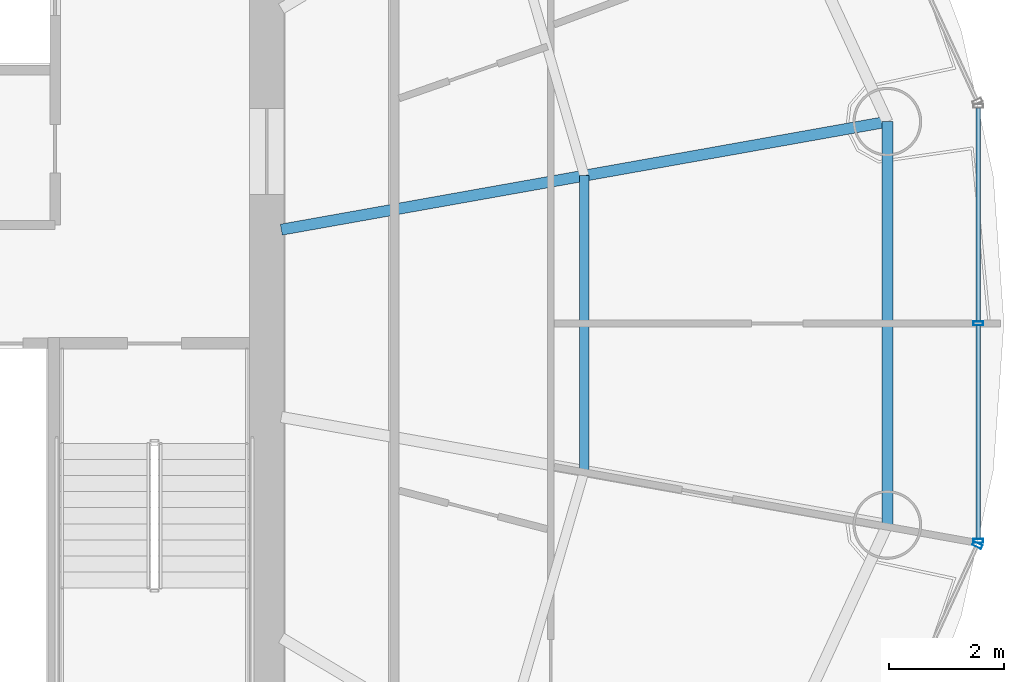
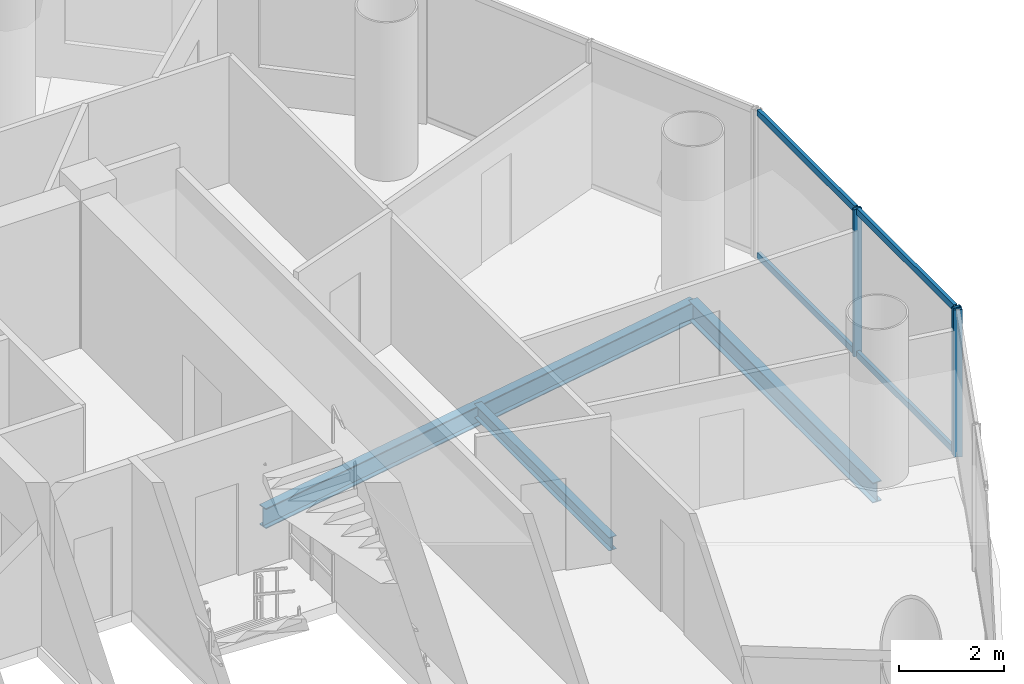
# One storey, part 13 of 26: 7 members, 3 beams, 2 elements without a shape of their own.
"""IFC4 building model written with IfcOpenShell, lengths in metres."""

from ifc_helpers import new_model, si_unit, direction, frame, origin, origin_2d, place, context, subcontext, project, spatial, hollow_rectangle, i_section, extrude, source, transform, mapped, material, material_profile, profile_set, type_object, element, aggregate, save


model = new_model("IFC4")

# Units and contexts
model_context = context("Model", 3, precision=1e-05, world=origin(), true_north=direction((-0.2419218956, 0.970295726276)))
body_context = subcontext(model_context, "Body", "Model", "MODEL_VIEW")
ifc_project = project(units=[si_unit("LENGTHUNIT", "METRE"), si_unit("AREAUNIT", "SQUARE_METRE"), si_unit("VOLUMEUNIT", "CUBIC_METRE"), si_unit("PLANEANGLEUNIT", "RADIAN"), si_unit("MASSUNIT", "GRAM", prefix="KILO")], contexts=[model_context])

# Site, building, storey
site_placement = place(None, origin())
site = spatial("IfcSite", under=ifc_project, at=site_placement, CompositionType="ELEMENT")
building_placement = place(site_placement, origin())
building = spatial("IfcBuilding", under=site, at=building_placement, Name="Cobrevalo Terracotta Tower", CompositionType="ELEMENT")
storey_placement = place(building_placement, frame((0.0, 0.0, 224.5)))
storey = spatial("IfcBuildingStorey", under=building, at=storey_placement, Name="L59", CompositionType="ELEMENT", Elevation=224.5)

# Beams
ifc_material_1 = material(Name="Steel S355", Category="steel")
ifc_material_profile_1 = material_profile(ifc_material_1, i_section(OverallWidth=0.194091796875, OverallDepth=0.468994140625, WebThickness=0.011474609375, FlangeThickness=0.0205078125, at=origin_2d()), Name="W 460x106")
ifc_profile_set_1 = profile_set([ifc_material_profile_1], Name="Steel S355")
beam_type_1 = type_object("IfcBeamType", Name="Structural Beam W 460x106 (Steel S355)", PredefinedType="BEAM", material=ifc_profile_set_1)
beam_1_placement = place(storey_placement, frame((57.762939453125, 30.3212890625, -0.49951171875), z_axis=(-0.98449712063, -0.175400739656, 0.0), x_axis=(0.175400739656, -0.98449712063, 0.0)))
element("IfcBeam", 1, at=beam_1_placement, inside=storey, type_object=beam_type_1, Name="L59 radial floor girder 01", PredefinedType="BEAM", context=body_context, shape_type="SweptSolid", body=[
    extrude(i_section(OverallWidth=0.194091796875, OverallDepth=0.468994140625, WebThickness=0.011474609375, FlangeThickness=0.0205078125, at=origin_2d()), origin(), (0.0, 0.0, 1.0), 10.749755859375),
])
ifc_material_profile_2 = material_profile(ifc_material_1, i_section(OverallWidth=0.1650390625, OverallDepth=0.31005859375, WebThickness=0.005859375, FlangeThickness=0.009765625, at=origin_2d()), Name="W 310x38.7")
ifc_profile_set_2 = profile_set([ifc_material_profile_2], Name="Steel S355")
beam_type_2 = type_object("IfcBeamType", Name="Structural Joist W 310x38.7 (Steel S355)", PredefinedType="JOIST", material=ifc_profile_set_2)
beam_2_placement = place(storey_placement, frame((52.471435546875, 24.221435546875, -0.419921875), z_axis=(0.0, 1.0, 0.0), x_axis=(-1.0, 0.0, 0.0)))
element("IfcBeam", 2, at=beam_2_placement, inside=storey, type_object=beam_type_2, Name="L59 circumferential secondary floor joist 16", PredefinedType="JOIST", context=body_context, shape_type="SweptSolid", body=[
    extrude(i_section(OverallWidth=0.1650390625, OverallDepth=0.31005859375, WebThickness=0.005859375, FlangeThickness=0.009765625, at=origin_2d()), origin(), (0.0, 0.0, 1.0), 5.1572265625),
])
ifc_material_profile_3 = material_profile(ifc_material_1, i_section(OverallWidth=0.194091796875, OverallDepth=0.468994140625, WebThickness=0.011474609375, FlangeThickness=0.0205078125, at=origin_2d()), Name="W 460x106")
ifc_profile_set_3 = profile_set([ifc_material_profile_3], Name="Steel S355")
beam_type_3 = type_object("IfcBeamType", Name="Structural Spandrel W 460x106 (Steel S355)", PredefinedType="SPANDREL", material=ifc_profile_set_3)
beam_3_placement = place(storey_placement, frame((57.762939453125, 23.278564453125, -0.49951171875), z_axis=(0.0, 1.0, 0.0), x_axis=(-1.0, 0.0, 0.0)))
element("IfcBeam", 3, at=beam_3_placement, inside=storey, type_object=beam_type_3, Name="L59 perimeter ring spandrel 16", PredefinedType="SPANDREL", context=body_context, shape_type="SweptSolid", body=[
    extrude(i_section(OverallWidth=0.194091796875, OverallDepth=0.468994140625, WebThickness=0.011474609375, FlangeThickness=0.0205078125, at=origin_2d()), origin(), (0.0, 0.0, 1.0), 7.042724609375),
])

# Curtain wall, members
ifc_material_2 = material(Name="Anodized aluminium", Category="aluminium")
curtain_wall_type = type_object("IfcCurtainWallType", Name="Mid-tower high-wind unitised curtain wall CW-U2", PredefinedType="NOTDEFINED", material=ifc_material_2)
curtain_wall_1_placement = place(storey_placement, origin())
curtain_wall_1 = element("IfcCurtainWall", 4, at=curtain_wall_1_placement, inside=storey, type_object=curtain_wall_type, Name="L59 curtain wall CW-L59-S16", PredefinedType="NOTDEFINED")
ifc_material_profile_4 = material_profile(ifc_material_2, hollow_rectangle(XDim=0.074951171875, YDim=0.14990234375, WallThickness=0.00439453125, at=origin_2d()), Name="CWT 75x150")
ifc_profile_set_4 = profile_set([ifc_material_profile_4], Name="Anodized aluminium")
member_type_1 = type_object("IfcMemberType", Name="Tower unitised aluminium transom 75x150", PredefinedType="USERDEFINED", material=ifc_profile_set_4)
shared_shape_1 = source(origin(), body_context, "Body", "SweptSolid", [
    extrude(hollow_rectangle(XDim=0.074951171875, YDim=0.14990234375, WallThickness=0.00439453125, at=origin_2d()), origin(), (0.0, 0.0, 1.0), 3.71728515625),
])
member_1_placement = place(storey_placement, frame((59.351806640625, 26.840087890625, 0.050048828125), z_axis=(0.0, 1.0, 0.0), x_axis=(-1.0, 0.0, 0.0)))
member_1 = element("IfcMember", 5, at=member_1_placement, type_object=member_type_1, Name="CW-L59-S16 transom B02-T1", ObjectType="TRANSOM", PredefinedType="USERDEFINED", context=body_context, shape_type="MappedRepresentation", body=[
    mapped(shared_shape_1, transform((0.0, 0.0, 0.0), scale=1.0)),
])
member_2_placement = place(storey_placement, frame((59.351806640625, 26.840087890625, 3.385009765625), z_axis=(0.0, 1.0, 0.0), x_axis=(-1.0, 0.0, 0.0)))
member_2 = element("IfcMember", 6, at=member_2_placement, type_object=member_type_1, Name="CW-L59-S16 transom B02-T2", ObjectType="TRANSOM", PredefinedType="USERDEFINED", context=body_context, shape_type="MappedRepresentation", body=[
    mapped(shared_shape_1, transform((0.0, 0.0, 0.0), scale=1.0)),
])
shared_shape_2 = source(origin(), body_context, "Body", "SweptSolid", [
    extrude(hollow_rectangle(XDim=0.074951171875, YDim=0.14990234375, WallThickness=0.00439453125, at=origin_2d()), origin(), (0.0, 0.0, 1.0), 3.717529296875),
])
member_3_placement = place(storey_placement, frame((59.351806640625, 23.04248046875, 0.050048828125), z_axis=(0.0, 1.0, 0.0), x_axis=(-1.0, 0.0, 0.0)))
member_3 = element("IfcMember", 7, at=member_3_placement, type_object=member_type_1, Name="CW-L59-S16 transom B01-T1", ObjectType="TRANSOM", PredefinedType="USERDEFINED", context=body_context, shape_type="MappedRepresentation", body=[
    mapped(shared_shape_2, transform((0.0, 0.0, 0.0), scale=1.0)),
])
member_4_placement = place(storey_placement, frame((59.351806640625, 23.04248046875, 3.385009765625), z_axis=(0.0, 1.0, 0.0), x_axis=(-1.0, 0.0, 0.0)))
member_4 = element("IfcMember", 8, at=member_4_placement, type_object=member_type_1, Name="CW-L59-S16 transom B01-T2", ObjectType="TRANSOM", PredefinedType="USERDEFINED", context=body_context, shape_type="MappedRepresentation", body=[
    mapped(shared_shape_2, transform((0.0, 0.0, 0.0), scale=1.0)),
])

# Curtain wall, member
curtain_wall_2_placement = place(storey_placement, origin())
curtain_wall_2 = element("IfcCurtainWall", 9, at=curtain_wall_2_placement, inside=storey, type_object=curtain_wall_type, Name="L59 curtain wall CW-L59-S15", PredefinedType="NOTDEFINED")
ifc_material_profile_5 = material_profile(ifc_material_2, hollow_rectangle(XDim=0.070068359375, YDim=0.169921875, WallThickness=0.00439453125, at=origin_2d()), Name="CWM 70x170")
ifc_profile_set_5 = profile_set([ifc_material_profile_5], Name="Anodized aluminium")
member_type_2 = type_object("IfcMemberType", Name="Upper tower unitised mullion 70x170", PredefinedType="MULLION", material=ifc_profile_set_5)
shared_shape_3 = source(origin(), body_context, "Body", "SweptSolid", [
    extrude(hollow_rectangle(XDim=0.070068359375, YDim=0.169921875, WallThickness=0.00439453125, at=origin_2d()), origin(), (0.0, 0.0, 1.0), 3.43505859375),
])
member_5_placement = place(storey_placement, frame((59.3349609375, 22.92626953125, 0.0), z_axis=(0.0, 0.0, 1.0), x_axis=(0.41672507912, 0.909032567311, 0.0)))
member_5 = element("IfcMember", 10, at=member_5_placement, type_object=member_type_2, Name="CW-L59-S15 vertical mullion 03", PredefinedType="MULLION", context=body_context, shape_type="MappedRepresentation", body=[
    mapped(shared_shape_3, transform((0.0, 0.0, 0.0), scale=1.0)),
])
aggregate(curtain_wall_2, [member_5])

# Member
member_6_placement = place(storey_placement, frame((59.351806640625, 23.002685546875, 0.0), z_axis=(0.0, 0.0, 1.0), x_axis=(0.0, 1.0, 0.0)))
member_6 = element("IfcMember", 11, at=member_6_placement, type_object=member_type_2, Name="CW-L59-S16 vertical mullion 01", PredefinedType="MULLION", context=body_context, shape_type="MappedRepresentation", body=[
    mapped(shared_shape_3, transform((0.0, 0.0, 0.0), scale=1.0)),
])

member_7_placement = place(storey_placement, frame((59.351806640625, 26.800048828125, 0.0), z_axis=(0.0, 0.0, 1.0), x_axis=(0.0, 1.0, 0.0)))
member_7 = element("IfcMember", 12, at=member_7_placement, type_object=member_type_2, Name="CW-L59-S16 vertical mullion 02", PredefinedType="MULLION", context=body_context, shape_type="MappedRepresentation", body=[
    mapped(shared_shape_3, transform((0.0, 0.0, 0.0), scale=1.0)),
])

aggregate(curtain_wall_1, [member_6, member_7, member_3, member_4, member_1, member_2])

save(model, "model.ifc")
